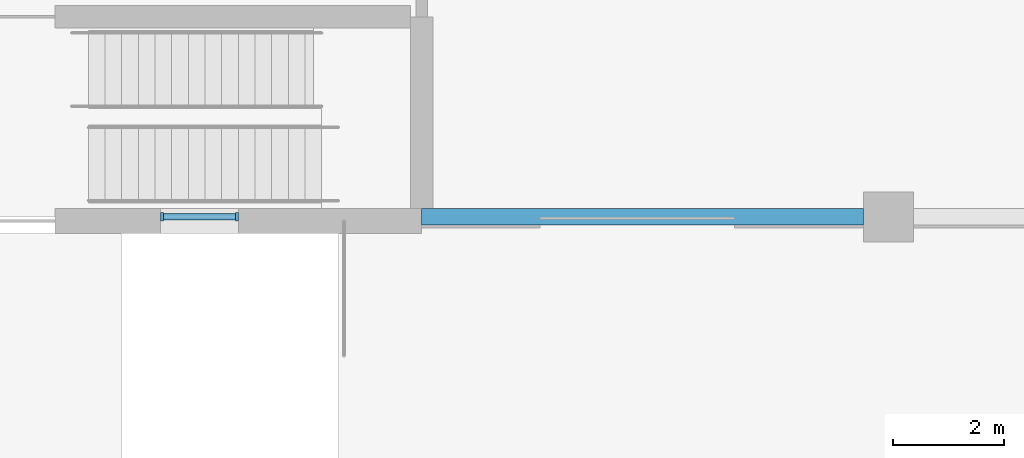
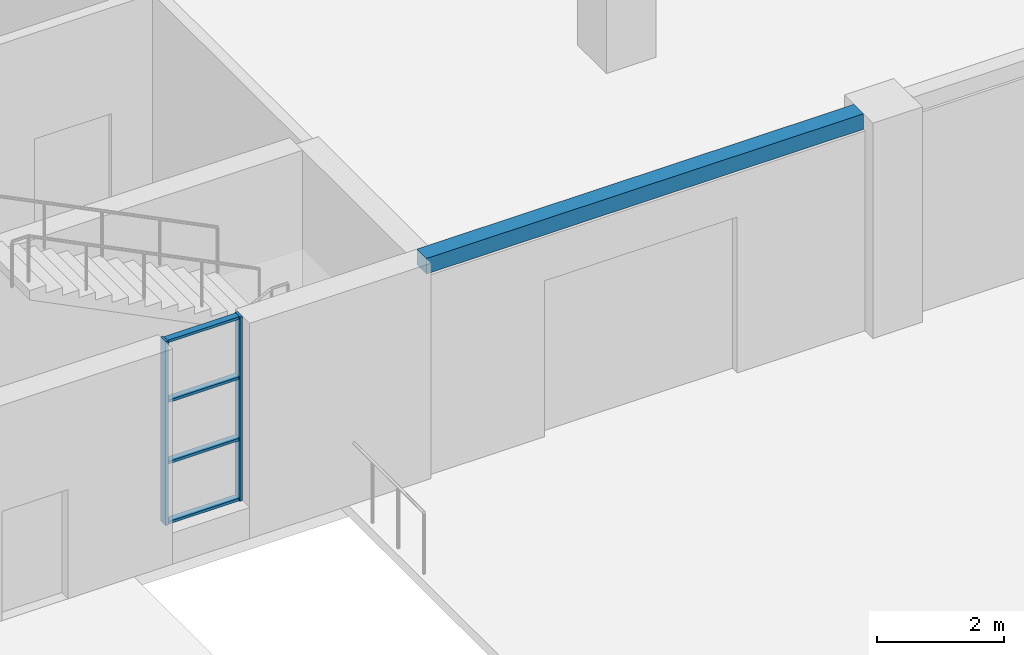
# One storey, part 30 of 138: 6 members, 1 beam, 1 element without a shape of its own.
"""IFC4 building model written with IfcOpenShell, lengths in metres."""

import ifcopenshell
import ifcopenshell.guid

model = None  # the IFC model being written
_history = None  # IfcOwnerHistory: only IFC2X3 demands one
_inside = {}  # id of a spatial element -> (the spatial element, [elements in it])
_under = {}  # id of a project, library or spatial element -> (it, [spatial elements below it])
_declared = {}  # id of a project -> (the project, [libraries it declares])
_typed = {}  # id of a type object -> (the type object, [elements of that type])
_made_of = {}  # id of a material, layer set ... -> (it, [elements and type objects made of it])


def new_model(schema):
    """Start an empty IFC model of exactly this schema.

    Asked for "IFC4X3", IfcOpenShell would pick the latest addendum, in which some entities
    have other attributes; the version numbers below select the first issue.
    IFC2X3 requires an IfcOwnerHistory on every rooted entity: one is made here for all.
    """
    global model, _history
    if schema == "IFC4X3":
        model = ifcopenshell.file(schema_version=(4, 3, 0, 0))
    else:
        model = ifcopenshell.file(schema=schema)
    _inside.clear()
    _under.clear()
    _declared.clear()
    _typed.clear()
    _made_of.clear()
    _history = None
    if model.schema == "IFC2X3":
        org = make("IfcOrganization", Name="unknown")
        user = make(
            "IfcPersonAndOrganization",
            ThePerson=make("IfcPerson", FamilyName="unknown"),
            TheOrganization=org,
        )
        app = make(
            "IfcApplication",
            ApplicationDeveloper=org,
            Version="unknown",
            ApplicationFullName="unknown",
            ApplicationIdentifier="unknown",
        )
        _history = make(
            "IfcOwnerHistory",
            OwningUser=user,
            OwningApplication=app,
            ChangeAction="ADDED",
            CreationDate=0,
        )
    return model


def make(cls, **values):
    """One entity of the class cls with the attributes given. An attribute that is None is left unset."""
    return model.create_entity(
        cls, **{name: value for name, value in values.items() if value is not None}
    )


def rooted(cls, **values):
    """An entity with a GlobalId (a new one), such as an element, a storey or a relation."""
    return make(cls, GlobalId=ifcopenshell.guid.new(), OwnerHistory=_history, **values)


def si_unit(unit_type, name, prefix=None):
    """IfcSIUnit, for example si_unit("LENGTHUNIT", "METRE", prefix="MILLI")."""
    return make("IfcSIUnit", UnitType=unit_type, Prefix=prefix, Name=name)


def assignment(units):
    """IfcUnitAssignment: the units of a project."""
    return None if units is None else make("IfcUnitAssignment", Units=units)


def point(xyz):
    """IfcCartesianPoint."""
    return None if xyz is None else make("IfcCartesianPoint", Coordinates=xyz)


def direction(xyz):
    """IfcDirection."""
    return None if xyz is None else make("IfcDirection", DirectionRatios=xyz)


def frame(location, z_axis=None, x_axis=None):
    """IfcAxis2Placement3D, a coordinate frame: its origin and axes. An axis left out is left unset."""
    return make(
        "IfcAxis2Placement3D",
        Location=point(location),
        Axis=direction(z_axis),
        RefDirection=direction(x_axis),
    )


def frame_2d(location, x_axis=None):
    """IfcAxis2Placement2D, a coordinate frame in the plane: its origin and x axis."""
    return make(
        "IfcAxis2Placement2D", Location=point(location), RefDirection=direction(x_axis)
    )


def origin():
    """The frame at (0, 0, 0) with its axes left unset."""
    return frame((0.0, 0.0, 0.0))


def origin_2d():
    """The frame at (0, 0) in the plane with its x axis left unset."""
    return frame_2d((0.0, 0.0))


def place(relative_to, where):
    """IfcLocalPlacement: puts the frame where relative to a parent placement (None: the world)."""
    return make(
        "IfcLocalPlacement", PlacementRelTo=relative_to, RelativePlacement=where
    )


def context(
    kind, dimensions, precision=None, world=None, true_north=None, identifier=None
):
    """IfcGeometricRepresentationContext, for example the 3D "Model" context."""
    return make(
        "IfcGeometricRepresentationContext",
        ContextIdentifier=identifier,
        ContextType=kind,
        CoordinateSpaceDimension=dimensions,
        Precision=precision,
        WorldCoordinateSystem=world,
        TrueNorth=true_north,
    )


def subcontext(parent, identifier, kind, view, scale=None):
    """IfcGeometricRepresentationSubContext, for example "Body" below "Model"."""
    return make(
        "IfcGeometricRepresentationSubContext",
        ContextIdentifier=identifier,
        ContextType=kind,
        ParentContext=parent,
        TargetScale=scale,
        TargetView=view,
    )


def project(units=None, contexts=None):
    """IfcProject with its units and contexts."""
    return rooted(
        "IfcProject",
        Name="project",
        RepresentationContexts=contexts,
        UnitsInContext=assignment(units),
    )


def spatial(cls, under=None, at=None, **own):
    """A site, building, storey or space (cls), placed at a placement, below another one or the project."""
    s = rooted(cls, ObjectPlacement=at, **own)
    if under is not None:
        _under.setdefault(under.id(), (under, []))[1].append(s)
    return s


def profile(cls, at=None, kind="AREA", **sizes):
    """A parametric profile (cls). Its sizes go by their IFC names, for example OverallWidth=200.0."""
    return make(cls, ProfileType=kind, Position=at, **sizes)


def rectangle(**sizes):
    """IfcRectangleProfileDef."""
    return profile("IfcRectangleProfileDef", **sizes)


def extrude(swept, where, along, depth):
    """IfcExtrudedAreaSolid: the profile swept, set in the frame where, extruded along a direction by depth."""
    return make(
        "IfcExtrudedAreaSolid",
        SweptArea=swept,
        Position=where,
        ExtrudedDirection=direction(along),
        Depth=depth,
    )


def shape(context_of_items, identifier, shape_type, items):
    """IfcShapeRepresentation: the items that make up one representation, for example the "Body"."""
    return make(
        "IfcShapeRepresentation",
        ContextOfItems=context_of_items,
        RepresentationIdentifier=identifier,
        RepresentationType=shape_type,
        Items=items,
    )


def material(Name=None, Category=None):
    """IfcMaterial."""
    return make("IfcMaterial", Name=Name, Category=Category)


def material_profile(
    of_material, cross_section, Name=None, Category=None, Priority=None
):
    """IfcMaterialProfile: a cross section and its material."""
    return make(
        "IfcMaterialProfile",
        Name=Name,
        Material=of_material,
        Profile=cross_section,
        Priority=Priority,
        Category=Category,
    )


def profile_set(profiles, Name=None, composite=None):
    """IfcMaterialProfileSet."""
    return make(
        "IfcMaterialProfileSet",
        Name=Name,
        MaterialProfiles=profiles,
        CompositeProfile=composite,
    )


def made_of(thing, what):
    """Note that an element or type object is made of a material, layer set ...; save() writes the relation."""
    if what is not None:
        _made_of.setdefault(what.id(), (what, []))[1].append(thing)
    return thing


def type_object(cls, material=None, **own):
    """A type object (cls), such as IfcWallType, which elements share."""
    return made_of(rooted(cls, **own), material)


def element(
    cls,
    number,
    at=None,
    inside=None,
    cuts=None,
    type_object=None,
    material=None,
    context=None,
    identifier="Body",
    shape_type=None,
    held_by="IfcProductDefinitionShape",
    body=None,
    shapes=None,
    **own,
):
    """One element of the class cls, such as IfcWall. Its Tag is "e" and its number.

    at: its placement. inside: the storey or other place that contains it. cuts: it is an
    opening in that element (IfcRelVoidsElement). A single representation is given by context,
    identifier, shape_type and body (its items); several are given by shapes. held_by: the class
    of the entity that holds the representations. save() writes the other relations.
    """
    e = rooted(cls, Tag="e%d" % number, ObjectPlacement=at, **own)
    if body is not None:
        shapes = [shape(context, identifier, shape_type, body)]
    if shapes is not None:
        e.Representation = make(held_by, Representations=shapes)
    if inside is not None:
        _inside.setdefault(inside.id(), (inside, []))[1].append(e)
    if cuts is not None:
        rooted(
            "IfcRelVoidsElement", RelatingBuildingElement=cuts, RelatedOpeningElement=e
        )
    if type_object is not None:
        _typed.setdefault(type_object.id(), (type_object, []))[1].append(e)
    return made_of(e, material)


def aggregate(whole, parts):
    """IfcRelAggregates: a whole, such as a stair, and the parts it consists of."""
    return rooted("IfcRelAggregates", RelatingObject=whole, RelatedObjects=parts)


def save(model, path):
    """Write the relations noted so far, then the file.

    IfcRelAggregates (storeys below a building ...), IfcRelContainedInSpatialStructure (elements
    in a storey), IfcRelDefinesByType, IfcRelAssociatesMaterial and IfcRelDeclares: one each for
    every whole, place, type object, material and project.
    """
    for whole, parts in _under.values():
        aggregate(whole, parts)
    for where, things in _inside.values():
        rooted(
            "IfcRelContainedInSpatialStructure",
            RelatedElements=things,
            RelatingStructure=where,
        )
    for kind, things in _typed.values():
        rooted("IfcRelDefinesByType", RelatedObjects=things, RelatingType=kind)
    for what, things in _made_of.values():
        rooted("IfcRelAssociatesMaterial", RelatedObjects=things, RelatingMaterial=what)
    for by, libraries in _declared.values():
        rooted("IfcRelDeclares", RelatingContext=by, RelatedDefinitions=libraries)
    model.write(path)


model = new_model("IFC4")

# Units and contexts
model_context = context("Model", 3, precision=1e-05, world=origin(), true_north=direction((0.0, 1.0)))
body_context = subcontext(model_context, "Body", "Model", "MODEL_VIEW")
ifc_project = project(units=[si_unit("LENGTHUNIT", "METRE"), si_unit("AREAUNIT", "SQUARE_METRE"), si_unit("VOLUMEUNIT", "CUBIC_METRE"), si_unit("PLANEANGLEUNIT", "RADIAN"), si_unit("MASSUNIT", "GRAM", prefix="KILO")], contexts=[model_context])

# Site, building, storey
site_placement = place(None, origin())
site = spatial("IfcSite", under=ifc_project, at=site_placement, CompositionType="ELEMENT")
building_placement = place(site_placement, origin())
building = spatial("IfcBuilding", under=site, at=building_placement, Name="Yavir Park General Hospital", CompositionType="ELEMENT")
storey_placement = place(building_placement, origin())
storey = spatial("IfcBuildingStorey", under=building, at=storey_placement, Name="L00", CompositionType="ELEMENT", Elevation=0.0)

# Beam
ifc_material_1 = material(Name="Concrete C35/45", Category="concrete")
ifc_material_profile_1 = material_profile(ifc_material_1, rectangle(XDim=0.300048828125, YDim=0.300048828125, at=origin_2d()), Name="RC300x300")
ifc_profile_set_1 = profile_set([ifc_material_profile_1], Name="Concrete C35/45")
beam_type = type_object("IfcBeamType", Name="RC BEAM 300x300 edge beam", PredefinedType="BEAM", material=ifc_profile_set_1)
beam_placement = place(storey_placement, frame((42.0, 0.0, 3.989990234375), z_axis=(1.0, 0.0, 0.0), x_axis=(0.0, 1.0, 0.0)))
element("IfcBeam", 1, at=beam_placement, inside=storey, type_object=beam_type, Name="B:EDGE:L00:001", PredefinedType="BEAM", context=body_context, shape_type="SweptSolid", body=[
    extrude(rectangle(XDim=0.300048828125, YDim=0.300048828125, at=origin_2d()), origin(), (0.0, 0.0, 1.0), 7.949951171875),
])

# Curtain wall, members
ifc_material_2 = material(Name="Aluminium curtain wall frame with insulated glazing", Category="aluminium")
curtain_wall_type = type_object("IfcCurtainWallType", Name="Stair light slot, ground floor, 3540 high, 1400 module", PredefinedType="NOTDEFINED", material=ifc_material_2)
curtain_wall_placement = place(storey_placement, origin())
curtain_wall = element("IfcCurtainWall", 2, at=curtain_wall_placement, inside=storey, type_object=curtain_wall_type, Name="CW19 L00-001", PredefinedType="NOTDEFINED")
ifc_material_3 = material(Name="Aluminium", Category="aluminium")
ifc_material_profile_2 = material_profile(ifc_material_3, rectangle(XDim=0.159912109375, YDim=0.050048828125, at=origin_2d()), Name="AL 50x160")
ifc_profile_set_2 = profile_set([ifc_material_profile_2], Name="Aluminium")
member_type_1 = type_object("IfcMemberType", Name="Stair light slot, ground floor, 3540 high mullion 50 x 160", PredefinedType="MULLION", material=ifc_profile_set_2)
member_1_placement = place(storey_placement, frame((37.324951171875, 0.0, 0.60009765625), z_axis=(0.0, 0.0, 1.0), x_axis=(0.0, 1.0, 0.0)))
member_1 = element("IfcMember", 3, at=member_1_placement, type_object=member_type_1, Name="CW19 mullion 1", PredefinedType="MULLION", context=body_context, shape_type="SweptSolid", body=[
    extrude(rectangle(XDim=0.159912109375, YDim=0.050048828125, at=origin_2d()), origin(), (0.0, 0.0, 1.0), 3.539794921875),
])
member_2_placement = place(storey_placement, frame((38.675048828125, 0.0, 0.60009765625), z_axis=(0.0, 0.0, 1.0), x_axis=(0.0, 1.0, 0.0)))
member_2 = element("IfcMember", 4, at=member_2_placement, type_object=member_type_1, Name="CW19 mullion 2", PredefinedType="MULLION", context=body_context, shape_type="SweptSolid", body=[
    extrude(rectangle(XDim=0.159912109375, YDim=0.050048828125, at=origin_2d()), origin(), (0.0, 0.0, 1.0), 3.539794921875),
])
ifc_material_4 = material(Name="Aluminium", Category="aluminium")
ifc_material_profile_3 = material_profile(ifc_material_4, rectangle(XDim=0.1201171875, YDim=0.050048828125, at=origin_2d()), Name="AL 120x50")
ifc_profile_set_3 = profile_set([ifc_material_profile_3], Name="Aluminium")
member_type_2 = type_object("IfcMemberType", Name="Stair light slot, ground floor, 3540 high transom 50 x 120", PredefinedType="MULLION", material=ifc_profile_set_3)
member_3_placement = place(storey_placement, frame((37.35009765625, 0.0, 0.625), z_axis=(1.0, 0.0, 0.0), x_axis=(0.0, 1.0, 0.0)))
member_3 = element("IfcMember", 5, at=member_3_placement, type_object=member_type_2, Name="CW19 transom 1.1", PredefinedType="MULLION", context=body_context, shape_type="SweptSolid", body=[
    extrude(rectangle(XDim=0.1201171875, YDim=0.050048828125, at=origin_2d()), origin(), (0.0, 0.0, 1.0), 1.2998046875),
])
member_4_placement = place(storey_placement, frame((37.35009765625, 0.0, 1.780029296875), z_axis=(1.0, 0.0, 0.0), x_axis=(0.0, 1.0, 0.0)))
member_4 = element("IfcMember", 6, at=member_4_placement, type_object=member_type_2, Name="CW19 transom 1.2", PredefinedType="MULLION", context=body_context, shape_type="SweptSolid", body=[
    extrude(rectangle(XDim=0.1201171875, YDim=0.050048828125, at=origin_2d()), origin(), (0.0, 0.0, 1.0), 1.2998046875),
])
member_5_placement = place(storey_placement, frame((37.35009765625, 0.0, 2.9599609375), z_axis=(1.0, 0.0, 0.0), x_axis=(0.0, 1.0, 0.0)))
member_5 = element("IfcMember", 7, at=member_5_placement, type_object=member_type_2, Name="CW19 transom 1.3", PredefinedType="MULLION", context=body_context, shape_type="SweptSolid", body=[
    extrude(rectangle(XDim=0.1201171875, YDim=0.050048828125, at=origin_2d()), origin(), (0.0, 0.0, 1.0), 1.2998046875),
])
member_6_placement = place(storey_placement, frame((37.35009765625, 0.0, 4.114990234375), z_axis=(1.0, 0.0, 0.0), x_axis=(0.0, 1.0, 0.0)))
member_6 = element("IfcMember", 8, at=member_6_placement, type_object=member_type_2, Name="CW19 transom 1.4", PredefinedType="MULLION", context=body_context, shape_type="SweptSolid", body=[
    extrude(rectangle(XDim=0.1201171875, YDim=0.050048828125, at=origin_2d()), origin(), (0.0, 0.0, 1.0), 1.2998046875),
])
aggregate(curtain_wall, [member_1, member_2, member_3, member_4, member_5, member_6])

save(model, "model.ifc")
